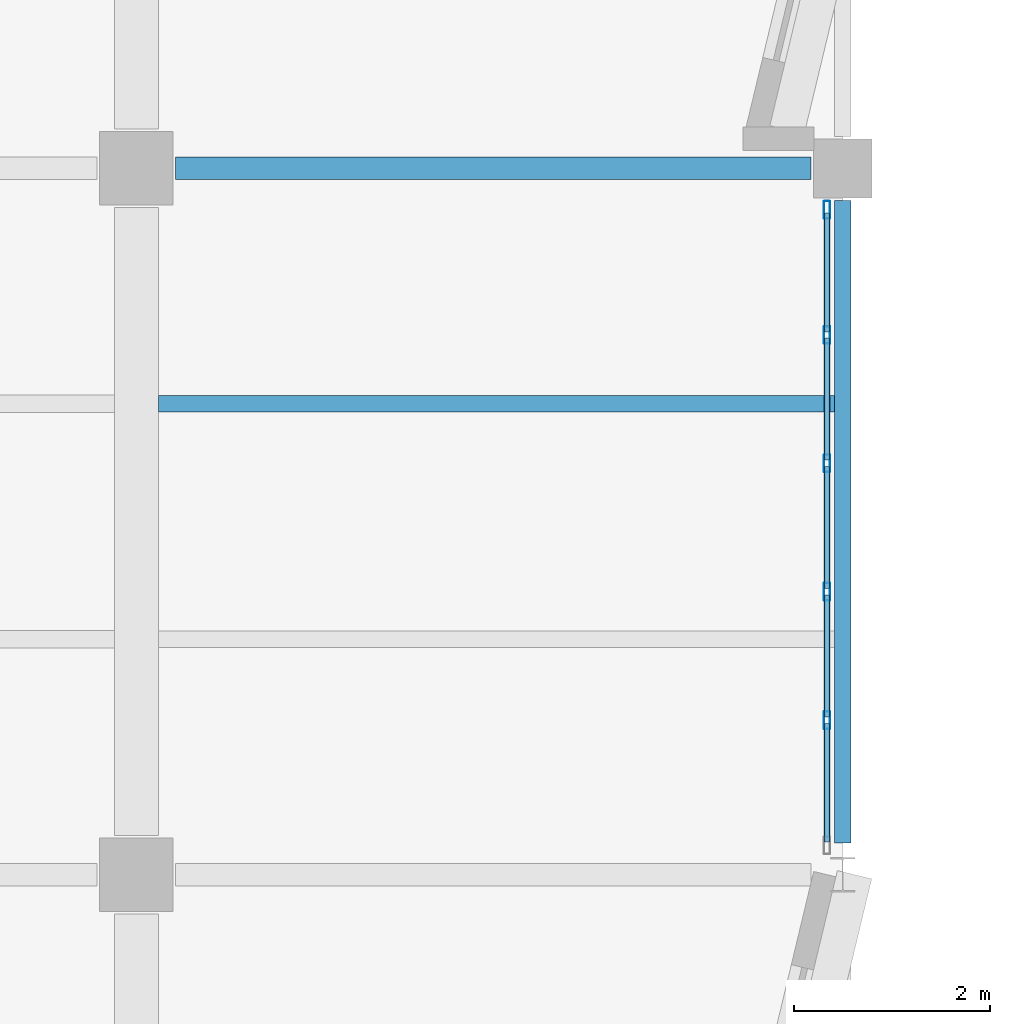
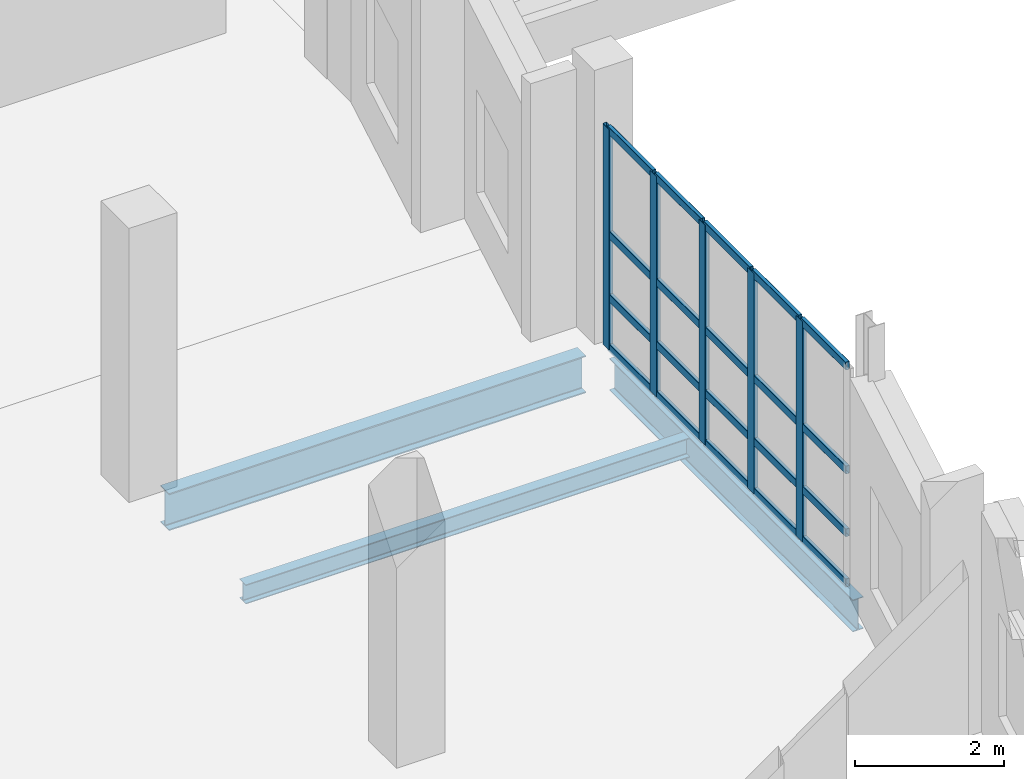
# One storey, part 46 of 123: 25 members, 3 beams, 1 element without a shape of its own.
"""IFC4 building model written with IfcOpenShell, lengths in metres."""

from ifc_helpers import new_model, si_unit, direction, frame, origin, origin_2d, place, context, subcontext, project, spatial, hollow_rectangle, i_section, extrude, material, material_profile, profile_set, type_object, element, aggregate, save


model = new_model("IFC4")

# Units and contexts
model_context = context("Model", 3, precision=1e-05, world=origin(), true_north=direction((0.0, 1.0)))
body_context = subcontext(model_context, "Body", "Model", "MODEL_VIEW")
ifc_project = project(units=[si_unit("LENGTHUNIT", "METRE"), si_unit("AREAUNIT", "SQUARE_METRE"), si_unit("VOLUMEUNIT", "CUBIC_METRE"), si_unit("PLANEANGLEUNIT", "RADIAN"), si_unit("MASSUNIT", "GRAM", prefix="KILO")], contexts=[model_context])

# Site, building, storey
site_placement = place(None, origin())
site = spatial("IfcSite", under=ifc_project, at=site_placement, CompositionType="ELEMENT")
building_placement = place(site_placement, origin())
building = spatial("IfcBuilding", under=site, at=building_placement, Name="Kalmorath City Hall", CompositionType="ELEMENT")
storey_placement = place(building_placement, frame((0.0, 0.0, 10.199951171875)))
storey = spatial("IfcBuildingStorey", under=building, at=storey_placement, Name="L02", CompositionType="ELEMENT", Elevation=10.199951171875)

# Curtain wall, members
ifc_material_1 = material(Name="Anodised aluminium and laminated glass", Category="aluminium")
curtain_wall_type = type_object("IfcCurtainWallType", Name="Unitised hurricane curtain wall 6544x3618 M1450", PredefinedType="NOTDEFINED", material=ifc_material_1)
curtain_wall_placement = place(storey_placement, origin())
curtain_wall = element("IfcCurtainWall", 1, at=curtain_wall_placement, inside=storey, type_object=curtain_wall_type, Name="L02 curtain wall CW-65X36M14 #139", PredefinedType="NOTDEFINED")
ifc_material_2 = material(Name="Anodised aluminium framing", Category="aluminium")
ifc_material_profile_1 = material_profile(ifc_material_2, hollow_rectangle(XDim=0.06494140625, YDim=0.179931640625, WallThickness=0.00390625, InnerFilletRadius=0.00390625, OuterFilletRadius=0.008056640625, at=origin_2d()), Name="ALU-MUL-180X65X4")
ifc_profile_set_1 = profile_set([ifc_material_profile_1], Name="Anodised aluminium framing")
member_type_1 = type_object("IfcMemberType", Name="Curtain-wall courtyard mullion 180x65", PredefinedType="MULLION", material=ifc_profile_set_1)
member_1_placement = place(storey_placement, frame((28.639892578125, 85.9775390625, 0.0), z_axis=(0.0, 0.0, 1.0), x_axis=(1.0, 0.0, 0.0)))
member_1 = element("IfcMember", 2, at=member_1_placement, type_object=member_type_1, Name="CW-65X36M14 mullion 1", PredefinedType="MULLION", context=body_context, shape_type="SweptSolid", body=[
    extrude(hollow_rectangle(XDim=0.06494140625, YDim=0.179931640625, WallThickness=0.00390625, InnerFilletRadius=0.00390625, OuterFilletRadius=0.008056640625, at=origin_2d()), origin(), (0.0, 0.0, 1.0), 3.6181640625),
])
member_2_placement = place(storey_placement, frame((28.639892578125, 84.701416015625, 0.0), z_axis=(0.0, 0.0, 1.0), x_axis=(1.0, 0.0, 0.0)))
member_2 = element("IfcMember", 3, at=member_2_placement, type_object=member_type_1, Name="CW-65X36M14 mullion 2", PredefinedType="MULLION", context=body_context, shape_type="SweptSolid", body=[
    extrude(hollow_rectangle(XDim=0.06494140625, YDim=0.179931640625, WallThickness=0.00390625, InnerFilletRadius=0.00390625, OuterFilletRadius=0.008056640625, at=origin_2d()), origin(), (0.0, 0.0, 1.0), 3.6181640625),
])
member_3_placement = place(storey_placement, frame((28.639892578125, 83.392578125, 0.0), z_axis=(0.0, 0.0, 1.0), x_axis=(1.0, 0.0, 0.0)))
member_3 = element("IfcMember", 4, at=member_3_placement, type_object=member_type_1, Name="CW-65X36M14 mullion 3", PredefinedType="MULLION", context=body_context, shape_type="SweptSolid", body=[
    extrude(hollow_rectangle(XDim=0.06494140625, YDim=0.179931640625, WallThickness=0.00390625, InnerFilletRadius=0.00390625, OuterFilletRadius=0.008056640625, at=origin_2d()), origin(), (0.0, 0.0, 1.0), 3.6181640625),
])
member_4_placement = place(storey_placement, frame((28.639892578125, 82.083984375, 0.0), z_axis=(0.0, 0.0, 1.0), x_axis=(1.0, 0.0, 0.0)))
member_4 = element("IfcMember", 5, at=member_4_placement, type_object=member_type_1, Name="CW-65X36M14 mullion 4", PredefinedType="MULLION", context=body_context, shape_type="SweptSolid", body=[
    extrude(hollow_rectangle(XDim=0.06494140625, YDim=0.179931640625, WallThickness=0.00390625, InnerFilletRadius=0.00390625, OuterFilletRadius=0.008056640625, at=origin_2d()), origin(), (0.0, 0.0, 1.0), 3.6181640625),
])
member_5_placement = place(storey_placement, frame((28.639892578125, 80.775146484375, 0.0), z_axis=(0.0, 0.0, 1.0), x_axis=(1.0, 0.0, 0.0)))
member_5 = element("IfcMember", 6, at=member_5_placement, type_object=member_type_1, Name="CW-65X36M14 mullion 5", PredefinedType="MULLION", context=body_context, shape_type="SweptSolid", body=[
    extrude(hollow_rectangle(XDim=0.06494140625, YDim=0.179931640625, WallThickness=0.00390625, InnerFilletRadius=0.00390625, OuterFilletRadius=0.008056640625, at=origin_2d()), origin(), (0.0, 0.0, 1.0), 3.6181640625),
])
ifc_material_3 = material(Name="Anodised aluminium framing", Category="aluminium")
ifc_material_profile_2 = material_profile(ifc_material_3, hollow_rectangle(XDim=0.06005859375, YDim=0.1298828125, WallThickness=0.00341796875, InnerFilletRadius=0.00341796875, OuterFilletRadius=0.007080078125, at=origin_2d()), Name="ALU-TRN-130X60X3.5")
ifc_profile_set_2 = profile_set([ifc_material_profile_2], Name="Anodised aluminium framing")
member_type_2 = type_object("IfcMemberType", Name="Curtain-wall courtyard transom 130x60", PredefinedType="USERDEFINED", material=ifc_profile_set_2)
member_6_placement = place(storey_placement, frame((28.639892578125, 85.945068359375, 0.030029296875), z_axis=(0.0, -1.0, 0.0), x_axis=(1.0, 0.0, 0.0)))
member_6 = element("IfcMember", 7, at=member_6_placement, type_object=member_type_2, Name="CW-65X36M14 transom 1.1", ObjectType="TRANSOM", PredefinedType="USERDEFINED", context=body_context, shape_type="SweptSolid", body=[
    extrude(hollow_rectangle(XDim=0.06005859375, YDim=0.1298828125, WallThickness=0.00341796875, InnerFilletRadius=0.00341796875, OuterFilletRadius=0.007080078125, at=origin_2d()), origin(), (0.0, 0.0, 1.0), 1.211181640625),
])
member_7_placement = place(storey_placement, frame((28.639892578125, 85.945068359375, 0.85009765625), z_axis=(0.0, -1.0, 0.0), x_axis=(1.0, 0.0, 0.0)))
member_7 = element("IfcMember", 8, at=member_7_placement, type_object=member_type_2, Name="CW-65X36M14 transom 1.2", ObjectType="TRANSOM", PredefinedType="USERDEFINED", context=body_context, shape_type="SweptSolid", body=[
    extrude(hollow_rectangle(XDim=0.06005859375, YDim=0.1298828125, WallThickness=0.00341796875, InnerFilletRadius=0.00341796875, OuterFilletRadius=0.007080078125, at=origin_2d()), origin(), (0.0, 0.0, 1.0), 1.211181640625),
])
member_8_placement = place(storey_placement, frame((28.639892578125, 85.945068359375, 1.881103515625), z_axis=(0.0, -1.0, 0.0), x_axis=(1.0, 0.0, 0.0)))
member_8 = element("IfcMember", 9, at=member_8_placement, type_object=member_type_2, Name="CW-65X36M14 transom 1.3", ObjectType="TRANSOM", PredefinedType="USERDEFINED", context=body_context, shape_type="SweptSolid", body=[
    extrude(hollow_rectangle(XDim=0.06005859375, YDim=0.1298828125, WallThickness=0.00341796875, InnerFilletRadius=0.00341796875, OuterFilletRadius=0.007080078125, at=origin_2d()), origin(), (0.0, 0.0, 1.0), 1.211181640625),
])
member_9_placement = place(storey_placement, frame((28.639892578125, 85.945068359375, 3.588134765625), z_axis=(0.0, -1.0, 0.0), x_axis=(1.0, 0.0, 0.0)))
member_9 = element("IfcMember", 10, at=member_9_placement, type_object=member_type_2, Name="CW-65X36M14 transom 1.4", ObjectType="TRANSOM", PredefinedType="USERDEFINED", context=body_context, shape_type="SweptSolid", body=[
    extrude(hollow_rectangle(XDim=0.06005859375, YDim=0.1298828125, WallThickness=0.00341796875, InnerFilletRadius=0.00341796875, OuterFilletRadius=0.007080078125, at=origin_2d()), origin(), (0.0, 0.0, 1.0), 1.211181640625),
])
member_10_placement = place(storey_placement, frame((28.639892578125, 84.668701171875, 0.030029296875), z_axis=(0.0, -1.0, 0.0), x_axis=(1.0, 0.0, 0.0)))
member_10 = element("IfcMember", 11, at=member_10_placement, type_object=member_type_2, Name="CW-65X36M14 transom 2.1", ObjectType="TRANSOM", PredefinedType="USERDEFINED", context=body_context, shape_type="SweptSolid", body=[
    extrude(hollow_rectangle(XDim=0.06005859375, YDim=0.1298828125, WallThickness=0.00341796875, InnerFilletRadius=0.00341796875, OuterFilletRadius=0.007080078125, at=origin_2d()), origin(), (0.0, 0.0, 1.0), 1.24365234375),
])
member_11_placement = place(storey_placement, frame((28.639892578125, 84.668701171875, 0.85009765625), z_axis=(0.0, -1.0, 0.0), x_axis=(1.0, 0.0, 0.0)))
member_11 = element("IfcMember", 12, at=member_11_placement, type_object=member_type_2, Name="CW-65X36M14 transom 2.2", ObjectType="TRANSOM", PredefinedType="USERDEFINED", context=body_context, shape_type="SweptSolid", body=[
    extrude(hollow_rectangle(XDim=0.06005859375, YDim=0.1298828125, WallThickness=0.00341796875, InnerFilletRadius=0.00341796875, OuterFilletRadius=0.007080078125, at=origin_2d()), origin(), (0.0, 0.0, 1.0), 1.24365234375),
])
member_12_placement = place(storey_placement, frame((28.639892578125, 84.668701171875, 1.881103515625), z_axis=(0.0, -1.0, 0.0), x_axis=(1.0, 0.0, 0.0)))
member_12 = element("IfcMember", 13, at=member_12_placement, type_object=member_type_2, Name="CW-65X36M14 transom 2.3", ObjectType="TRANSOM", PredefinedType="USERDEFINED", context=body_context, shape_type="SweptSolid", body=[
    extrude(hollow_rectangle(XDim=0.06005859375, YDim=0.1298828125, WallThickness=0.00341796875, InnerFilletRadius=0.00341796875, OuterFilletRadius=0.007080078125, at=origin_2d()), origin(), (0.0, 0.0, 1.0), 1.24365234375),
])
member_13_placement = place(storey_placement, frame((28.639892578125, 84.668701171875, 3.588134765625), z_axis=(0.0, -1.0, 0.0), x_axis=(1.0, 0.0, 0.0)))
member_13 = element("IfcMember", 14, at=member_13_placement, type_object=member_type_2, Name="CW-65X36M14 transom 2.4", ObjectType="TRANSOM", PredefinedType="USERDEFINED", context=body_context, shape_type="SweptSolid", body=[
    extrude(hollow_rectangle(XDim=0.06005859375, YDim=0.1298828125, WallThickness=0.00341796875, InnerFilletRadius=0.00341796875, OuterFilletRadius=0.007080078125, at=origin_2d()), origin(), (0.0, 0.0, 1.0), 1.24365234375),
])
member_14_placement = place(storey_placement, frame((28.639892578125, 83.360107421875, 0.030029296875), z_axis=(0.0, -1.0, 0.0), x_axis=(1.0, 0.0, 0.0)))
member_14 = element("IfcMember", 15, at=member_14_placement, type_object=member_type_2, Name="CW-65X36M14 transom 3.1", ObjectType="TRANSOM", PredefinedType="USERDEFINED", context=body_context, shape_type="SweptSolid", body=[
    extrude(hollow_rectangle(XDim=0.06005859375, YDim=0.1298828125, WallThickness=0.00341796875, InnerFilletRadius=0.00341796875, OuterFilletRadius=0.007080078125, at=origin_2d()), origin(), (0.0, 0.0, 1.0), 1.24365234375),
])
member_15_placement = place(storey_placement, frame((28.639892578125, 83.360107421875, 0.85009765625), z_axis=(0.0, -1.0, 0.0), x_axis=(1.0, 0.0, 0.0)))
member_15 = element("IfcMember", 16, at=member_15_placement, type_object=member_type_2, Name="CW-65X36M14 transom 3.2", ObjectType="TRANSOM", PredefinedType="USERDEFINED", context=body_context, shape_type="SweptSolid", body=[
    extrude(hollow_rectangle(XDim=0.06005859375, YDim=0.1298828125, WallThickness=0.00341796875, InnerFilletRadius=0.00341796875, OuterFilletRadius=0.007080078125, at=origin_2d()), origin(), (0.0, 0.0, 1.0), 1.24365234375),
])
member_16_placement = place(storey_placement, frame((28.639892578125, 83.360107421875, 1.881103515625), z_axis=(0.0, -1.0, 0.0), x_axis=(1.0, 0.0, 0.0)))
member_16 = element("IfcMember", 17, at=member_16_placement, type_object=member_type_2, Name="CW-65X36M14 transom 3.3", ObjectType="TRANSOM", PredefinedType="USERDEFINED", context=body_context, shape_type="SweptSolid", body=[
    extrude(hollow_rectangle(XDim=0.06005859375, YDim=0.1298828125, WallThickness=0.00341796875, InnerFilletRadius=0.00341796875, OuterFilletRadius=0.007080078125, at=origin_2d()), origin(), (0.0, 0.0, 1.0), 1.24365234375),
])
member_17_placement = place(storey_placement, frame((28.639892578125, 83.360107421875, 3.588134765625), z_axis=(0.0, -1.0, 0.0), x_axis=(1.0, 0.0, 0.0)))
member_17 = element("IfcMember", 18, at=member_17_placement, type_object=member_type_2, Name="CW-65X36M14 transom 3.4", ObjectType="TRANSOM", PredefinedType="USERDEFINED", context=body_context, shape_type="SweptSolid", body=[
    extrude(hollow_rectangle(XDim=0.06005859375, YDim=0.1298828125, WallThickness=0.00341796875, InnerFilletRadius=0.00341796875, OuterFilletRadius=0.007080078125, at=origin_2d()), origin(), (0.0, 0.0, 1.0), 1.24365234375),
])
member_18_placement = place(storey_placement, frame((28.639892578125, 82.051513671875, 0.030029296875), z_axis=(0.0, -1.0, 0.0), x_axis=(1.0, 0.0, 0.0)))
member_18 = element("IfcMember", 19, at=member_18_placement, type_object=member_type_2, Name="CW-65X36M14 transom 4.1", ObjectType="TRANSOM", PredefinedType="USERDEFINED", context=body_context, shape_type="SweptSolid", body=[
    extrude(hollow_rectangle(XDim=0.06005859375, YDim=0.1298828125, WallThickness=0.00341796875, InnerFilletRadius=0.00341796875, OuterFilletRadius=0.007080078125, at=origin_2d()), origin(), (0.0, 0.0, 1.0), 1.243896484375),
])
member_19_placement = place(storey_placement, frame((28.639892578125, 82.051513671875, 0.85009765625), z_axis=(0.0, -1.0, 0.0), x_axis=(1.0, 0.0, 0.0)))
member_19 = element("IfcMember", 20, at=member_19_placement, type_object=member_type_2, Name="CW-65X36M14 transom 4.2", ObjectType="TRANSOM", PredefinedType="USERDEFINED", context=body_context, shape_type="SweptSolid", body=[
    extrude(hollow_rectangle(XDim=0.06005859375, YDim=0.1298828125, WallThickness=0.00341796875, InnerFilletRadius=0.00341796875, OuterFilletRadius=0.007080078125, at=origin_2d()), origin(), (0.0, 0.0, 1.0), 1.243896484375),
])
member_20_placement = place(storey_placement, frame((28.639892578125, 82.051513671875, 1.881103515625), z_axis=(0.0, -1.0, 0.0), x_axis=(1.0, 0.0, 0.0)))
member_20 = element("IfcMember", 21, at=member_20_placement, type_object=member_type_2, Name="CW-65X36M14 transom 4.3", ObjectType="TRANSOM", PredefinedType="USERDEFINED", context=body_context, shape_type="SweptSolid", body=[
    extrude(hollow_rectangle(XDim=0.06005859375, YDim=0.1298828125, WallThickness=0.00341796875, InnerFilletRadius=0.00341796875, OuterFilletRadius=0.007080078125, at=origin_2d()), origin(), (0.0, 0.0, 1.0), 1.243896484375),
])
member_21_placement = place(storey_placement, frame((28.639892578125, 82.051513671875, 3.588134765625), z_axis=(0.0, -1.0, 0.0), x_axis=(1.0, 0.0, 0.0)))
member_21 = element("IfcMember", 22, at=member_21_placement, type_object=member_type_2, Name="CW-65X36M14 transom 4.4", ObjectType="TRANSOM", PredefinedType="USERDEFINED", context=body_context, shape_type="SweptSolid", body=[
    extrude(hollow_rectangle(XDim=0.06005859375, YDim=0.1298828125, WallThickness=0.00341796875, InnerFilletRadius=0.00341796875, OuterFilletRadius=0.007080078125, at=origin_2d()), origin(), (0.0, 0.0, 1.0), 1.243896484375),
])
member_22_placement = place(storey_placement, frame((28.639892578125, 80.74267578125, 0.030029296875), z_axis=(0.0, -1.0, 0.0), x_axis=(1.0, 0.0, 0.0)))
member_22 = element("IfcMember", 23, at=member_22_placement, type_object=member_type_2, Name="CW-65X36M14 transom 5.1", ObjectType="TRANSOM", PredefinedType="USERDEFINED", context=body_context, shape_type="SweptSolid", body=[
    extrude(hollow_rectangle(XDim=0.06005859375, YDim=0.1298828125, WallThickness=0.00341796875, InnerFilletRadius=0.00341796875, OuterFilletRadius=0.007080078125, at=origin_2d()), origin(), (0.0, 0.0, 1.0), 1.211181640625),
])
member_23_placement = place(storey_placement, frame((28.639892578125, 80.74267578125, 0.85009765625), z_axis=(0.0, -1.0, 0.0), x_axis=(1.0, 0.0, 0.0)))
member_23 = element("IfcMember", 24, at=member_23_placement, type_object=member_type_2, Name="CW-65X36M14 transom 5.2", ObjectType="TRANSOM", PredefinedType="USERDEFINED", context=body_context, shape_type="SweptSolid", body=[
    extrude(hollow_rectangle(XDim=0.06005859375, YDim=0.1298828125, WallThickness=0.00341796875, InnerFilletRadius=0.00341796875, OuterFilletRadius=0.007080078125, at=origin_2d()), origin(), (0.0, 0.0, 1.0), 1.211181640625),
])
member_24_placement = place(storey_placement, frame((28.639892578125, 80.74267578125, 1.881103515625), z_axis=(0.0, -1.0, 0.0), x_axis=(1.0, 0.0, 0.0)))
member_24 = element("IfcMember", 25, at=member_24_placement, type_object=member_type_2, Name="CW-65X36M14 transom 5.3", ObjectType="TRANSOM", PredefinedType="USERDEFINED", context=body_context, shape_type="SweptSolid", body=[
    extrude(hollow_rectangle(XDim=0.06005859375, YDim=0.1298828125, WallThickness=0.00341796875, InnerFilletRadius=0.00341796875, OuterFilletRadius=0.007080078125, at=origin_2d()), origin(), (0.0, 0.0, 1.0), 1.211181640625),
])
member_25_placement = place(storey_placement, frame((28.639892578125, 80.74267578125, 3.588134765625), z_axis=(0.0, -1.0, 0.0), x_axis=(1.0, 0.0, 0.0)))
member_25 = element("IfcMember", 26, at=member_25_placement, type_object=member_type_2, Name="CW-65X36M14 transom 5.4", ObjectType="TRANSOM", PredefinedType="USERDEFINED", context=body_context, shape_type="SweptSolid", body=[
    extrude(hollow_rectangle(XDim=0.06005859375, YDim=0.1298828125, WallThickness=0.00341796875, InnerFilletRadius=0.00341796875, OuterFilletRadius=0.007080078125, at=origin_2d()), origin(), (0.0, 0.0, 1.0), 1.211181640625),
])
aggregate(curtain_wall, [member_1, member_2, member_3, member_4, member_5, member_6, member_7, member_8, member_9, member_10, member_11, member_12, member_13, member_14, member_15, member_16, member_17, member_18, member_19, member_20, member_21, member_22, member_23, member_24, member_25])

# Beams
ifc_material_4 = material(Name="Steel ASTM A992 Grade 50", Category="steel")
ifc_material_profile_3 = material_profile(ifc_material_4, i_section(OverallWidth=0.22900390625, OverallDepth=0.612060546875, WebThickness=0.011962890625, FlangeThickness=0.01953125, FilletRadius=0.01611328125, at=origin_2d()), Name="W24X84")
ifc_profile_set_3 = profile_set([ifc_material_profile_3], Name="Steel ASTM A992 Grade 50")
beam_type_1 = type_object("IfcBeamType", Name="Steel floor girder W24X84", PredefinedType="BEAM", material=ifc_profile_set_3)
beam_1_placement = place(storey_placement, frame((22.0, 86.39990234375, -0.58984375), z_axis=(1.0, 0.0, 0.0), x_axis=(0.0, 1.0, 0.0)))
element("IfcBeam", 27, at=beam_1_placement, inside=storey, type_object=beam_type_1, Name="L02 girder SG8 X4-5/13", PredefinedType="BEAM", context=body_context, shape_type="SweptSolid", body=[
    extrude(i_section(OverallWidth=0.22900390625, OverallDepth=0.612060546875, WebThickness=0.011962890625, FlangeThickness=0.01953125, FilletRadius=0.01611328125, at=origin_2d()), origin(), (0.0, 0.0, 1.0), 6.47509765625),
])
ifc_material_5 = material(Name="Steel ASTM A992 Grade 50", Category="steel")
ifc_material_profile_4 = material_profile(ifc_material_5, i_section(OverallWidth=0.1669921875, OverallDepth=0.318115234375, WebThickness=0.007568359375, FlangeThickness=0.01318359375, FilletRadius=0.012939453125, at=origin_2d()), Name="W12X35")
ifc_profile_set_4 = profile_set([ifc_material_profile_4], Name="Steel ASTM A992 Grade 50")
beam_type_2 = type_object("IfcBeamType", Name="Steel header lintel W12X35", PredefinedType="LINTEL", material=ifc_profile_set_4)
beam_2_placement = place(storey_placement, frame((21.824951171875, 84.0, -0.44287109375), z_axis=(1.0, 0.0, 0.0), x_axis=(0.0, 1.0, 0.0)))
element("IfcBeam", 28, at=beam_2_placement, inside=storey, type_object=beam_type_2, Name="L02 joist SJ13 4.12.2", PredefinedType="LINTEL", context=body_context, shape_type="SweptSolid", body=[
    extrude(i_section(OverallWidth=0.1669921875, OverallDepth=0.318115234375, WebThickness=0.007568359375, FlangeThickness=0.01318359375, FilletRadius=0.012939453125, at=origin_2d()), origin(), (0.0, 0.0, 1.0), 6.892578125),
])
ifc_material_6 = material(Name="Steel ASTM A992 Grade 50", Category="steel")
ifc_material_profile_5 = material_profile(ifc_material_6, i_section(OverallWidth=0.1650390625, OverallDepth=0.52490234375, WebThickness=0.0087890625, FlangeThickness=0.011474609375, FilletRadius=0.014892578125, at=origin_2d()), Name="W21X44")
ifc_profile_set_5 = profile_set([ifc_material_profile_5], Name="Steel ASTM A992 Grade 50")
beam_type_3 = type_object("IfcBeamType", Name="Steel spandrel beam W21X44", PredefinedType="SPANDREL", material=ifc_profile_set_5)
beam_3_placement = place(storey_placement, frame((28.800048828125, 79.52490234375, -0.54638671875), z_axis=(0.0, 1.0, 0.0), x_axis=(-1.0, 0.0, 0.0)))
element("IfcBeam", 29, at=beam_3_placement, inside=storey, type_object=beam_type_3, Name="L02 girder SB4 Y5/12-13", PredefinedType="SPANDREL", context=body_context, shape_type="SweptSolid", body=[
    extrude(i_section(OverallWidth=0.1650390625, OverallDepth=0.52490234375, WebThickness=0.0087890625, FlangeThickness=0.011474609375, FilletRadius=0.014892578125, at=origin_2d()), origin(), (0.0, 0.0, 1.0), 6.550048828125),
])

save(model, "model.ifc")
